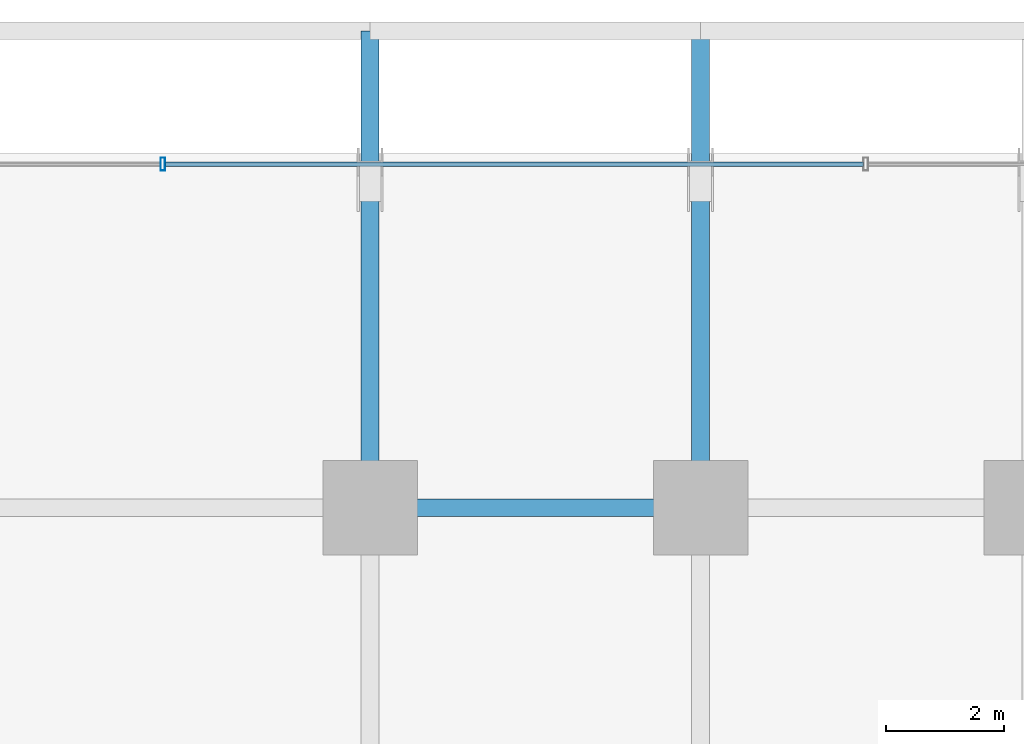
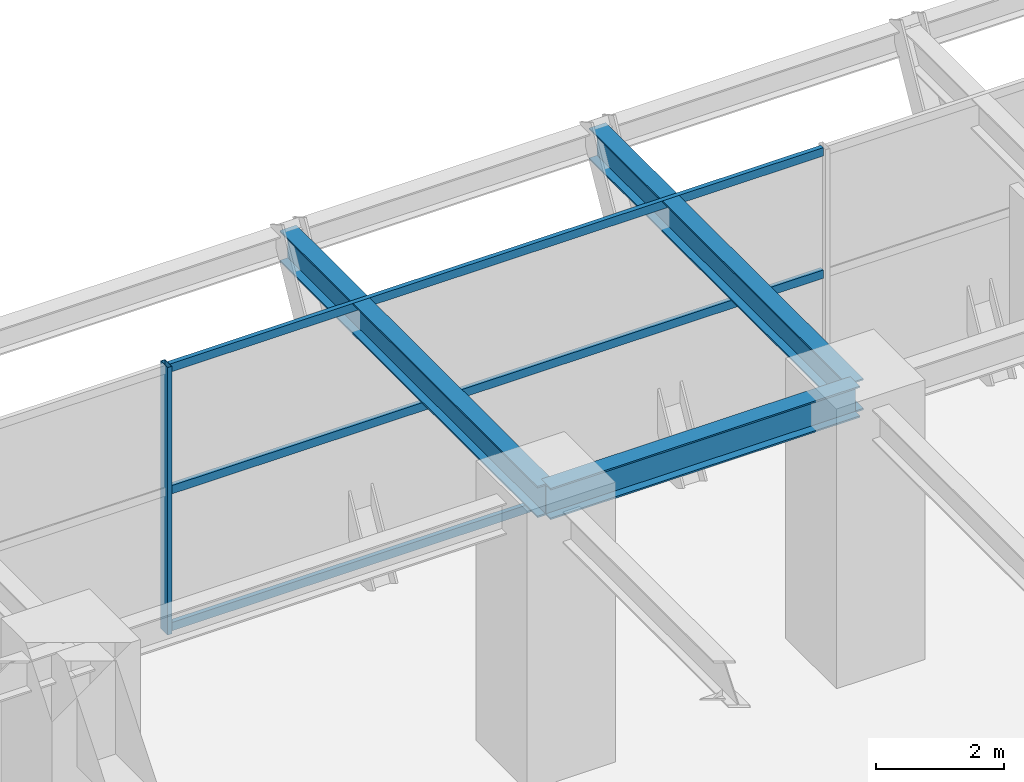
# One storey, part 14 of 29: 4 members, 3 beams, 1 element without a shape of its own.
"""IFC4 building model written with IfcOpenShell, lengths in metres."""

from ifc_helpers import new_model, si_unit, direction, frame, origin, origin_2d, place, context, subcontext, project, spatial, hollow_rectangle, i_section, extrude, source, transform, mapped, material, material_profile, profile_set, type_object, element, aggregate, save


model = new_model("IFC4")

# Units and contexts
model_context = context("Model", 3, precision=1e-05, world=origin(), true_north=direction((0.0, 1.0)))
body_context = subcontext(model_context, "Body", "Model", "MODEL_VIEW")
ifc_project = project(units=[si_unit("LENGTHUNIT", "METRE"), si_unit("AREAUNIT", "SQUARE_METRE"), si_unit("VOLUMEUNIT", "CUBIC_METRE"), si_unit("PLANEANGLEUNIT", "RADIAN"), si_unit("MASSUNIT", "GRAM", prefix="KILO")], contexts=[model_context])

# Site, building, storey
site_placement = place(None, origin())
site = spatial("IfcSite", under=ifc_project, at=site_placement, CompositionType="ELEMENT")
building_placement = place(site_placement, origin())
building = spatial("IfcBuilding", under=site, at=building_placement, Name="Nahalor Promenade Grand Hotel", CompositionType="ELEMENT")
storey_placement = place(building_placement, frame((0.0, 0.0, 27.0)))
storey = spatial("IfcBuildingStorey", under=building, at=storey_placement, Name="L05", CompositionType="ELEMENT", Elevation=27.0)

# Beams
ifc_material_1 = material(Name="Steel S355JR", Category="steel")
ifc_material_profile_1 = material_profile(ifc_material_1, i_section(OverallWidth=0.3, OverallDepth=0.6, WebThickness=0.0155, FlangeThickness=0.03, at=origin_2d()), Name="HEB 600")
ifc_profile_set_1 = profile_set([ifc_material_profile_1], Name="Steel S355JR")
beam_type = type_object("IfcBeamType", Name="Beam-Girder-HEB600", PredefinedType="BEAM", material=ifc_profile_set_1)
shared_shape_1 = source(origin(), body_context, "Body", "SweptSolid", [
    extrude(i_section(OverallWidth=0.3, OverallDepth=0.6, WebThickness=0.0155, FlangeThickness=0.03, at=origin_2d()), origin(), (0.0, 0.0, 1.0), 5.599853515625),
])
beam_placement = place(storey_placement, frame((-8.39990234375, 17.0, 4.820068359375), z_axis=(1.0, 0.0, 0.0), x_axis=(0.0, 1.0, 0.0)))
element("IfcBeam", 1, at=beam_placement, inside=storey, type_object=beam_type, Name="BM-L05-GX-3-2", PredefinedType="BEAM", context=body_context, shape_type="MappedRepresentation", body=[
    mapped(shared_shape_1, transform((0.0, 0.0, 0.0), scale=1.0)),
])
shared_shape_2 = source(origin(), body_context, "Body", "SweptSolid", [
    extrude(i_section(OverallWidth=0.3, OverallDepth=0.6, WebThickness=0.0155, FlangeThickness=0.03, at=origin_2d()), origin(), (0.0, 0.0, 1.0), 8.080078125),
])
for number, where, z_axis, x_axis, name in (
    (2, (-8.39990234375, 17.0, 4.820068359375), (0.0, 1.0, 0.0), (-1.0, 0.0, 0.0), "BM-L05-GY-1-4"),
    (3, (-2.800048828125, 17.0, 4.820068359375), (0.0, 1.0, 0.0), (-1.0, 0.0, 0.0), "BM-L05-GY-2-4"),
):
    element("IfcBeam", number, at=place(storey_placement, frame(where, z_axis=z_axis, x_axis=x_axis)), inside=storey, type_object=beam_type, Name=name, PredefinedType="BEAM", context=body_context, shape_type="MappedRepresentation", body=[
        mapped(shared_shape_2, transform((0.0, 0.0, 0.0), scale=1.0)),
    ])

# Curtain wall, members
ifc_material_2 = material(Name="Anodised Bronze Aluminium EN AW-6063 T6", Category="aluminium")
curtain_wall_type = type_object("IfcCurtainWallType", Name="CW1 Waterfront Podium Bronze Arcade Curtain Wall", PredefinedType="USERDEFINED", material=ifc_material_2)
curtain_wall_placement = place(storey_placement, origin())
curtain_wall = element("IfcCurtainWall", 4, at=curtain_wall_placement, inside=storey, type_object=curtain_wall_type, Name="L05 Curtain Wall CW-L05-N", ObjectType="UNITISED_CURTAIN_WALL", PredefinedType="USERDEFINED")
ifc_material_profile_2 = material_profile(ifc_material_2, hollow_rectangle(XDim=0.08, YDim=0.22, WallThickness=0.005, at=origin_2d()), Name="CWM 80x220x5")
ifc_profile_set_2 = profile_set([ifc_material_profile_2], Name="Anodised Bronze Aluminium EN AW-6063 T6")
member_type_1 = type_object("IfcMemberType", Name="CWM1 Podium Bronze Mullion 80x220", PredefinedType="MULLION", material=ifc_profile_set_2)
shared_shape_3 = source(origin(), body_context, "Body", "SweptSolid", [
    extrude(hollow_rectangle(XDim=0.08, YDim=0.22, WallThickness=0.005, at=origin_2d()), origin(), (0.0, 0.0, 1.0), 5.1201171875),
])
member_1_placement = place(storey_placement, frame((-11.909912109375, 22.820068359375, 0.0), z_axis=(0.0, 0.0, 1.0), x_axis=(1.0, 0.0, 0.0)))
member_1 = element("IfcMember", 5, at=member_1_placement, type_object=member_type_1, Name="CW-L05-N Mullion 1", PredefinedType="MULLION", context=body_context, shape_type="MappedRepresentation", body=[
    mapped(shared_shape_3, transform((0.0, 0.0, 0.0), scale=1.0)),
])
ifc_material_profile_3 = material_profile(ifc_material_2, hollow_rectangle(XDim=0.08, YDim=0.16, WallThickness=0.004, at=origin_2d()), Name="CWT 80x160x4")
ifc_profile_set_3 = profile_set([ifc_material_profile_3], Name="Anodised Bronze Aluminium EN AW-6063 T6")
member_type_2 = type_object("IfcMemberType", Name="CWT1 Podium Bronze Transom 80x160", PredefinedType="USERDEFINED", material=ifc_profile_set_3)
shared_shape_4 = source(origin(), body_context, "Body", "SweptSolid", [
    extrude(hollow_rectangle(XDim=0.08, YDim=0.16, WallThickness=0.004, at=origin_2d()), origin(), (0.0, 0.0, 1.0), 11.830078125),
])
member_2_placement = place(storey_placement, frame((-11.8701171875, 22.820068359375, 0.080078125), z_axis=(1.0, 0.0, 0.0), x_axis=(0.0, 1.0, 0.0)))
member_2 = element("IfcMember", 6, at=member_2_placement, type_object=member_type_2, Name="CW-L05-N Transom 1-0", ObjectType="TRANSOM", PredefinedType="USERDEFINED", context=body_context, shape_type="MappedRepresentation", body=[
    mapped(shared_shape_4, transform((0.0, 0.0, 0.0), scale=1.0)),
])
member_3_placement = place(storey_placement, frame((-11.8701171875, 22.820068359375, 2.699951171875), z_axis=(1.0, 0.0, 0.0), x_axis=(0.0, 1.0, 0.0)))
member_3 = element("IfcMember", 7, at=member_3_placement, type_object=member_type_2, Name="CW-L05-N Transom 1-1", ObjectType="TRANSOM", PredefinedType="USERDEFINED", context=body_context, shape_type="MappedRepresentation", body=[
    mapped(shared_shape_4, transform((0.0, 0.0, 0.0), scale=1.0)),
])
member_4_placement = place(storey_placement, frame((-11.8701171875, 22.820068359375, 5.0400390625), z_axis=(1.0, 0.0, 0.0), x_axis=(0.0, 1.0, 0.0)))
member_4 = element("IfcMember", 8, at=member_4_placement, type_object=member_type_2, Name="CW-L05-N Transom 1-2", ObjectType="TRANSOM", PredefinedType="USERDEFINED", context=body_context, shape_type="MappedRepresentation", body=[
    mapped(shared_shape_4, transform((0.0, 0.0, 0.0), scale=1.0)),
])
aggregate(curtain_wall, [member_1, member_2, member_3, member_4])

save(model, "model.ifc")
